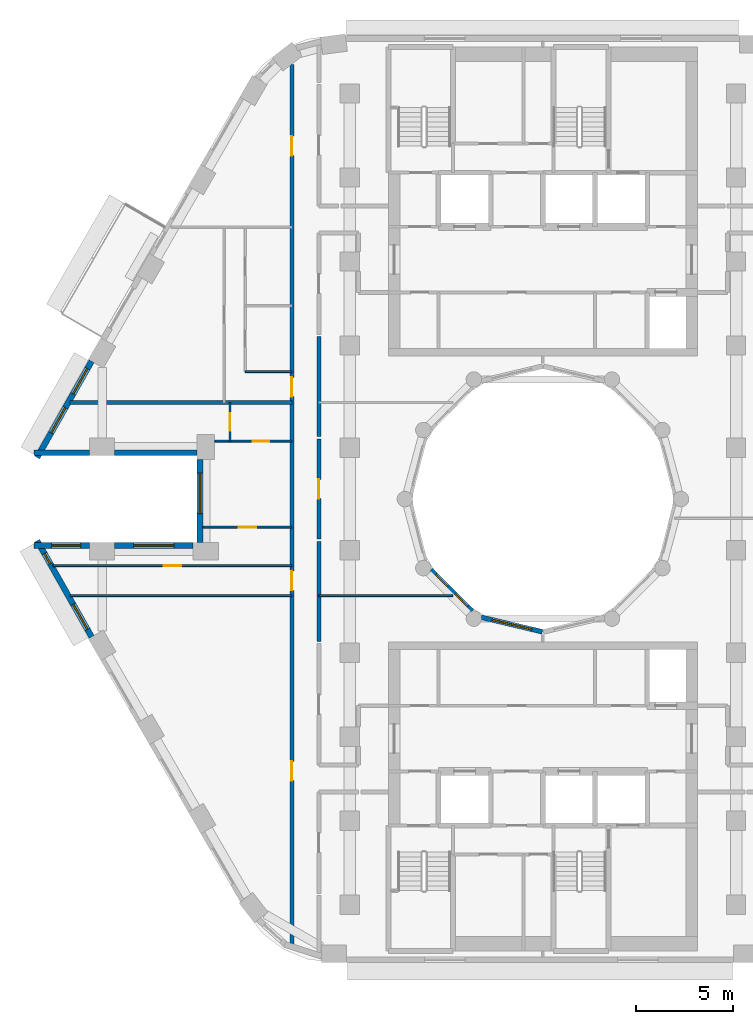
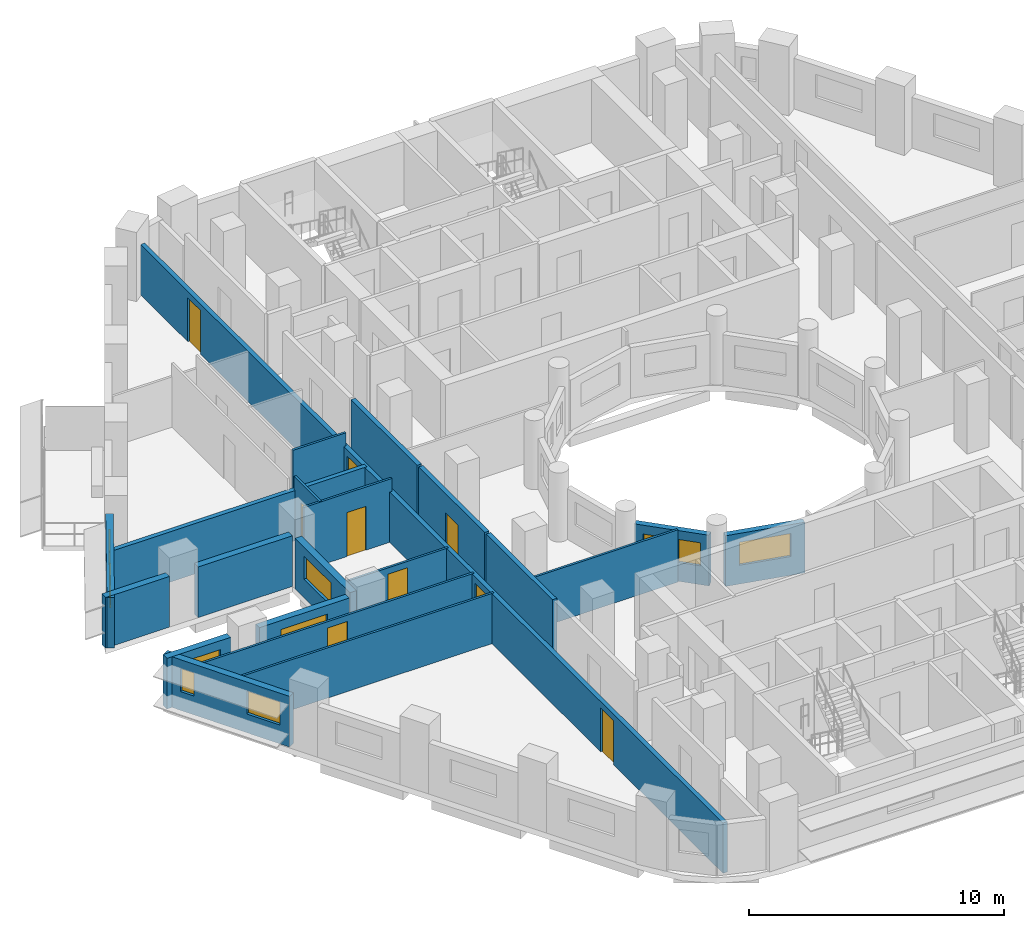
# One storey, part 4 of 13: 21 walls, 10 windows, 9 doors, 19 openings.
"""IFC4 building model written with IfcOpenShell, lengths in metres."""

from ifc_helpers import new_model, si_unit, direction, frame, frame_2d, origin, place, context, subcontext, project, spatial, rectangle, extrude, material, layer, layer_set, type_object, element, fill, save


model = new_model("IFC4")

# Units and contexts
model_context = context("Model", 3, precision=1e-05, world=origin(), true_north=direction((0.0, 1.0)))
body_context = subcontext(model_context, "Body", "Model", "MODEL_VIEW")
ifc_project = project(units=[si_unit("LENGTHUNIT", "METRE"), si_unit("AREAUNIT", "SQUARE_METRE"), si_unit("VOLUMEUNIT", "CUBIC_METRE"), si_unit("PLANEANGLEUNIT", "RADIAN"), si_unit("MASSUNIT", "GRAM", prefix="KILO")], contexts=[model_context])

# Site, building, storey
site_placement = place(None, origin())
site = spatial("IfcSite", under=ifc_project, at=site_placement, CompositionType="ELEMENT")
building_placement = place(site_placement, origin())
building = spatial("IfcBuilding", under=site, at=building_placement, Name="Nakaniwa Court", CompositionType="ELEMENT")
storey_placement = place(building_placement, frame((0.0, 0.0, 153.60009765625)))
storey = spatial("IfcBuildingStorey", under=building, at=storey_placement, Name="L40", CompositionType="ELEMENT", Elevation=153.60009765625)

# Wall
ifc_material_1 = material(Name="Acoustic double stud partition")
ifc_layer_1 = layer(ifc_material_1, 0.199951171875)
ifc_layer_set_1 = layer_set([ifc_layer_1], Name="Acoustic double stud partition")
wall_type_1 = type_object("IfcWallType", Name="Acoustic double stud partition 200", PredefinedType="PARTITIONING", material=ifc_layer_set_1)
wall_1_placement = place(storey_placement, frame((68.39990234375, 72.627197265625, 0.0), z_axis=(0.0, 0.0, 1.0), x_axis=(0.0, 1.0, 0.0)))
element("IfcWall", 1, at=wall_1_placement, inside=storey, type_object=wall_type_1, Name="Partition PW-100", PredefinedType="PARTITIONING", context=body_context, shape_type="SweptSolid", body=[
    extrude(rectangle(XDim=5.185546875, YDim=0.199951171875, at=frame_2d((2.5927734375, 0.0))), origin(), (0.0, 0.0, 1.0), 3.02490234375),
])

# Wall, opening, door
wall_2_placement = place(storey_placement, frame((68.39990234375, 83.11279296875, 0.0), z_axis=(0.0, 0.0, 1.0), x_axis=(0.0, -1.0, 0.0)))
wall_2 = element("IfcWall", 2, at=wall_2_placement, inside=storey, type_object=wall_type_1, Name="Partition PW-101", PredefinedType="PARTITIONING", context=body_context, shape_type="SweptSolid", body=[
    extrude(rectangle(XDim=5.185546875, YDim=0.199951171875, at=frame_2d((2.5927734375, 0.0))), origin(), (0.0, 0.0, 1.0), 3.02490234375),
])
opening_1_placement = place(wall_2_placement, frame((2.093017578125, 0.0, 0.0)))
opening_1 = element("IfcOpeningElement", 3, at=opening_1_placement, cuts=wall_2, Name="Opening D-02-08", PredefinedType="OPENING", context=body_context, shape_type="SweptSolid", body=[
    extrude(rectangle(XDim=1.0, YDim=2.10009765625, at=frame_2d((0.5, 1.050048828125))), frame((0.0, 0.10986328125, 0.0), z_axis=(0.0, -1.0, 0.0), x_axis=(1.0, 0.0, 0.0)), (0.0, 0.0, 1.0), 0.219970703125),
])
ifc_material_2 = material(Name="Solid core timber door set, black veneer", Category="wood")
door_type_1 = type_object("IfcDoorType", Name="Internal door 1000", OperationType="NOTDEFINED", PredefinedType="DOOR", material=ifc_material_2)
door_1_placement = place(opening_1_placement, origin())
door_1 = element("IfcDoor", 4, at=door_1_placement, inside=storey, type_object=door_type_1, Name="Door D-02-08 L40-039", OperationType="SINGLE_SWING_RIGHT", OverallHeight=2.10009765625, OverallWidth=1.0, PredefinedType="DOOR", context=body_context, shape_type="SweptSolid", body=[
    extrude(rectangle(XDim=1.0, YDim=2.10009765625, at=frame_2d((0.5, 1.050048828125))), frame((0.0, 0.02490234375, 0.0), z_axis=(0.0, -1.0, 0.0), x_axis=(1.0, 0.0, 0.0)), (0.0, 0.0, 1.0), 0.050048828125),
])
fill(opening_1, door_1)

# Wall
wall_3_placement = place(storey_placement, frame((68.39990234375, 83.227294921875, 0.0), z_axis=(0.0, 0.0, 1.0), x_axis=(0.0, 1.0, 0.0)))
element("IfcWall", 5, at=wall_3_placement, inside=storey, type_object=wall_type_1, Name="Partition PW-102", PredefinedType="PARTITIONING", context=body_context, shape_type="SweptSolid", body=[
    extrude(rectangle(XDim=5.185546875, YDim=0.199951171875, at=frame_2d((2.5927734375, 0.0))), origin(), (0.0, 0.0, 1.0), 3.02490234375),
])

# Wall, openings, doors
wall_4_placement = place(storey_placement, frame((67.0, 56.833251953125, 0.0), z_axis=(0.0, 0.0, 1.0), x_axis=(0.0, 1.0, 0.0)))
wall_4 = element("IfcWall", 6, at=wall_4_placement, inside=storey, type_object=wall_type_1, Name="Partition PW-106", PredefinedType="PARTITIONING", context=body_context, shape_type="SweptSolid", body=[
    extrude(rectangle(XDim=45.660888671875, YDim=0.199951171875, at=frame_2d((22.83056640625, 0.0))), origin(), (0.0, 0.0, 1.0), 2.40478515625),
])
opening_2_placement = place(wall_4_placement, frame((8.583984375, 0.0, 0.0)))
opening_2 = element("IfcOpeningElement", 7, at=opening_2_placement, cuts=wall_4, Name="Opening D-02-06", PredefinedType="OPENING", context=body_context, shape_type="SweptSolid", body=[
    extrude(rectangle(XDim=1.0, YDim=2.10009765625, at=frame_2d((0.5, 1.050048828125))), frame((0.0, 0.10986328125, 0.0), z_axis=(0.0, -1.0, 0.0), x_axis=(1.0, 0.0, 0.0)), (0.0, 0.0, 1.0), 0.219970703125),
])
opening_3_placement = place(wall_4_placement, frame((18.44189453125, 0.0, 0.0)))
opening_3 = element("IfcOpeningElement", 8, at=opening_3_placement, cuts=wall_4, Name="Opening D-01-02", PredefinedType="OPENING", context=body_context, shape_type="SweptSolid", body=[
    extrude(rectangle(XDim=1.0, YDim=2.10009765625, at=frame_2d((0.5, 1.050048828125))), frame((0.0, 0.10986328125, 0.0), z_axis=(0.0, -1.0, 0.0), x_axis=(1.0, 0.0, 0.0)), (0.0, 0.0, 1.0), 0.219970703125),
])
opening_4_placement = place(wall_4_placement, frame((28.467041015625, 0.0, 0.0)))
opening_4 = element("IfcOpeningElement", 9, at=opening_4_placement, cuts=wall_4, Name="Opening D-01-03", PredefinedType="OPENING", context=body_context, shape_type="SweptSolid", body=[
    extrude(rectangle(XDim=1.0, YDim=2.10009765625, at=frame_2d((0.5, 1.050048828125))), frame((0.0, 0.10986328125, 0.0), z_axis=(0.0, -1.0, 0.0), x_axis=(1.0, 0.0, 0.0)), (0.0, 0.0, 1.0), 0.219970703125),
])
opening_5_placement = place(wall_4_placement, frame((40.952880859375, 0.0, 0.0)))
opening_5 = element("IfcOpeningElement", 10, at=opening_5_placement, cuts=wall_4, Name="Opening D-02-13", PredefinedType="OPENING", context=body_context, shape_type="SweptSolid", body=[
    extrude(rectangle(XDim=1.0, YDim=2.10009765625, at=frame_2d((0.5, 1.050048828125))), frame((0.0, 0.10986328125, 0.0), z_axis=(0.0, -1.0, 0.0), x_axis=(1.0, 0.0, 0.0)), (0.0, 0.0, 1.0), 0.219970703125),
])
door_type_2 = type_object("IfcDoorType", Name="Flat entrance door 1000", OperationType="NOTDEFINED", PredefinedType="DOOR", material=ifc_material_2)
door_2_placement = place(opening_3_placement, origin())
door_2 = element("IfcDoor", 11, at=door_2_placement, inside=storey, type_object=door_type_2, Name="Door D-01-02 L40-034", OperationType="SINGLE_SWING_LEFT", OverallHeight=2.10009765625, OverallWidth=1.0, PredefinedType="DOOR", context=body_context, shape_type="SweptSolid", body=[
    extrude(rectangle(XDim=1.0, YDim=2.10009765625, at=frame_2d((0.5, 1.050048828125))), frame((0.0, 0.02490234375, 0.0), z_axis=(0.0, -1.0, 0.0), x_axis=(1.0, 0.0, 0.0)), (0.0, 0.0, 1.0), 0.050048828125),
])
fill(opening_3, door_2)
door_3_placement = place(opening_4_placement, origin())
door_3 = element("IfcDoor", 12, at=door_3_placement, inside=storey, type_object=door_type_2, Name="Door D-01-03 L40-041", OperationType="SINGLE_SWING_RIGHT", OverallHeight=2.10009765625, OverallWidth=1.0, PredefinedType="DOOR", context=body_context, shape_type="SweptSolid", body=[
    extrude(rectangle(XDim=1.0, YDim=2.10009765625, at=frame_2d((0.5, 1.050048828125))), frame((0.0, 0.02490234375, 0.0), z_axis=(0.0, -1.0, 0.0), x_axis=(1.0, 0.0, 0.0)), (0.0, 0.0, 1.0), 0.050048828125),
])
fill(opening_4, door_3)
door_4_placement = place(opening_2_placement, origin())
door_4 = element("IfcDoor", 13, at=door_4_placement, inside=storey, type_object=door_type_1, Name="Door D-02-06 L40-032", OperationType="SINGLE_SWING_LEFT", OverallHeight=2.10009765625, OverallWidth=1.0, PredefinedType="DOOR", context=body_context, shape_type="SweptSolid", body=[
    extrude(rectangle(XDim=1.0, YDim=2.10009765625, at=frame_2d((0.5, 1.050048828125))), frame((0.0, 0.02490234375, 0.0), z_axis=(0.0, -1.0, 0.0), x_axis=(1.0, 0.0, 0.0)), (0.0, 0.0, 1.0), 0.050048828125),
])
fill(opening_2, door_4)
door_5_placement = place(opening_5_placement, origin())
door_5 = element("IfcDoor", 14, at=door_5_placement, inside=storey, type_object=door_type_1, Name="Door D-02-13 L40-048", OperationType="SINGLE_SWING_LEFT", OverallHeight=2.10009765625, OverallWidth=1.0, PredefinedType="DOOR", context=body_context, shape_type="SweptSolid", body=[
    extrude(rectangle(XDim=1.0, YDim=2.10009765625, at=frame_2d((0.5, 1.050048828125))), frame((0.0, 0.02490234375, 0.0), z_axis=(0.0, -1.0, 0.0), x_axis=(1.0, 0.0, 0.0)), (0.0, 0.0, 1.0), 0.050048828125),
])
fill(opening_5, door_5)

# Wall
wall_5_placement = place(storey_placement, frame((55.5205078125, 85.0, 0.0), z_axis=(0.0, 0.0, 1.0), x_axis=(1.0, 0.0, 0.0)))
element("IfcWall", 15, at=wall_5_placement, inside=storey, type_object=wall_type_1, Name="Partition PW-127", PredefinedType="PARTITIONING", context=body_context, shape_type="SweptSolid", body=[
    extrude(rectangle(XDim=11.478515625, YDim=0.199951171875, at=frame_2d((5.7392578125, 0.0))), origin(), (0.0, 0.0, 1.0), 2.40478515625),
])

# Wall, openings, windows
ifc_material_3 = material(Name="Charcoal ceramic cladding")
ifc_layer_2 = layer(ifc_material_3, 0.02, Name="Ceramic cladding")
ifc_material_4 = material(Name="Ventilated air cavity")
ifc_layer_3 = layer(ifc_material_4, 0.04, ventilated=True, Name="Ventilated cavity")
ifc_material_5 = material(Name="Mineral wool insulation")
ifc_layer_4 = layer(ifc_material_5, 0.1, Name="Insulation")
ifc_material_6 = material(Name="Cement bonded sheathing board")
ifc_layer_5 = layer(ifc_material_6, 0.012, Name="Sheathing")
ifc_material_7 = material(Name="Cold-formed galvanised stud frame with mineral wool infill")
ifc_layer_6 = layer(ifc_material_7, 0.1, Name="Stud frame")
ifc_material_8 = material(Name="Fire-rated gypsum plasterboard lining")
ifc_layer_7 = layer(ifc_material_8, 0.028, Name="Lining")
ifc_layer_set_2 = layer_set([ifc_layer_2, ifc_layer_3, ifc_layer_4, ifc_layer_5, ifc_layer_6, ifc_layer_7], Name="Charcoal ceramic faced external wall system")
wall_type_2 = type_object("IfcWallType", Name="Black ceramic faced external wall 300", PredefinedType="SOLIDWALL", material=ifc_layer_set_2)
wall_6_placement = place(storey_placement, frame((56.63427734375, 87.13720703125, 0.0), z_axis=(0.0, 0.0, 1.0), x_axis=(-0.492498306264, -0.87031340236, 0.0)))
wall_6 = element("IfcWall", 16, at=wall_6_placement, inside=storey, type_object=wall_type_2, Name="L40 external wall 14", PredefinedType="SOLIDWALL", context=body_context, shape_type="SweptSolid", body=[
    extrude(rectangle(XDim=5.7265625, YDim=0.300048828125, at=frame_2d((2.86328125, 0.0))), origin(), (0.0, 0.0, 1.0), 2.4248046875),
])
opening_6_placement = place(wall_6_placement, frame((0.4423828125, 0.0, 0.89990234375)))
opening_6 = element("IfcOpeningElement", 17, at=opening_6_placement, cuts=wall_6, Name="Opening W5.14", PredefinedType="OPENING", context=body_context, shape_type="SweptSolid", body=[
    extrude(rectangle(XDim=1.5, YDim=1.10009765625, at=frame_2d((0.75, 0.550048828125))), frame((0.0, 0.159912109375, 0.0), z_axis=(0.0, -1.0, 0.0), x_axis=(1.0, 0.0, 0.0)), (0.0, 0.0, 1.0), 0.320068359375),
])
opening_7_placement = place(wall_6_placement, frame((2.759033203125, 0.0, 0.89990234375)))
opening_7 = element("IfcOpeningElement", 18, at=opening_7_placement, cuts=wall_6, Name="Opening W5.15", PredefinedType="OPENING", context=body_context, shape_type="SweptSolid", body=[
    extrude(rectangle(XDim=1.5, YDim=1.10009765625, at=frame_2d((0.75, 0.550048828125))), frame((0.0, 0.159912109375, 0.0), z_axis=(0.0, -1.0, 0.0), x_axis=(1.0, 0.0, 0.0)), (0.0, 0.0, 1.0), 0.320068359375),
])
ifc_material_9 = material(Name="Black anodised aluminium frame with dark low-E laminated double glazing", Category="aluminium")
window_type_1 = type_object("IfcWindowType", Name="Dark glass window 1500x1100 sill 900", PartitioningType="SINGLE_PANEL", PredefinedType="WINDOW", material=ifc_material_9)
window_1_placement = place(opening_6_placement, origin())
window_1 = element("IfcWindow", 19, at=window_1_placement, inside=storey, type_object=window_type_1, Name="L40 living window 14-0", OverallHeight=1.10009765625, OverallWidth=1.5, PartitioningType="SINGLE_PANEL", PredefinedType="WINDOW", context=body_context, shape_type="SweptSolid", body=[
    extrude(rectangle(XDim=1.5, YDim=1.10009765625, at=frame_2d((0.75, 0.550048828125))), frame((0.0, 0.030029296875, 0.0), z_axis=(0.0, -1.0, 0.0), x_axis=(1.0, 0.0, 0.0)), (0.0, 0.0, 1.0), 0.06005859375),
])
fill(opening_6, window_1)
window_2_placement = place(opening_7_placement, origin())
window_2 = element("IfcWindow", 20, at=window_2_placement, inside=storey, type_object=window_type_1, Name="L40 habitable room window 14-1", OverallHeight=1.10009765625, OverallWidth=1.5, PartitioningType="SINGLE_PANEL", PredefinedType="WINDOW", context=body_context, shape_type="SweptSolid", body=[
    extrude(rectangle(XDim=1.5, YDim=1.10009765625, at=frame_2d((0.75, 0.550048828125))), frame((0.0, 0.030029296875, 0.0), z_axis=(0.0, -1.0, 0.0), x_axis=(1.0, 0.0, 0.0)), (0.0, 0.0, 1.0), 0.06005859375),
])
fill(opening_7, window_2)

# Walls
wall_7_placement = place(storey_placement, frame((53.643310546875, 82.39990234375, 0.0), z_axis=(0.0, 0.0, 1.0), x_axis=(1.0, 0.0, 0.0)))
element("IfcWall", 21, at=wall_7_placement, inside=storey, type_object=wall_type_2, Name="L40 external wall 15", PredefinedType="SOLIDWALL", context=body_context, shape_type="SweptSolid", body=[
    extrude(rectangle(XDim=2.8876953125, YDim=0.300048828125, at=frame_2d((1.44384765625, 0.0))), origin(), (0.0, 0.0, 1.0), 2.4248046875),
])
wall_8_placement = place(storey_placement, frame((57.822998046875, 82.39990234375, 0.0), z_axis=(0.0, 0.0, 1.0), x_axis=(1.0, 0.0, 0.0)))
element("IfcWall", 22, at=wall_8_placement, inside=storey, type_object=wall_type_2, Name="L40 external wall 16", PredefinedType="SOLIDWALL", context=body_context, shape_type="SweptSolid", body=[
    extrude(rectangle(XDim=4.272705078125, YDim=0.300048828125, at=frame_2d((2.13623046875, 0.0))), origin(), (0.0, 0.0, 1.0), 2.4248046875),
])

# Wall, opening, window
wall_9_placement = place(storey_placement, frame((62.24169921875, 82.053955078125, 0.0), z_axis=(0.0, 0.0, 1.0), x_axis=(0.0, -1.0, 0.0)))
wall_9 = element("IfcWall", 23, at=wall_9_placement, inside=storey, type_object=wall_type_2, Name="L40 external wall 17", PredefinedType="SOLIDWALL", context=body_context, shape_type="SweptSolid", body=[
    extrude(rectangle(XDim=4.307861328125, YDim=0.300048828125, at=frame_2d((2.15380859375, 0.0))), origin(), (0.0, 0.0, 1.0), 2.4248046875),
])
opening_8_placement = place(wall_9_placement, frame((0.71337890625, 0.0, 0.89990234375)))
opening_8 = element("IfcOpeningElement", 24, at=opening_8_placement, cuts=wall_9, Name="Opening W7.16", PredefinedType="OPENING", context=body_context, shape_type="SweptSolid", body=[
    extrude(rectangle(XDim=2.10009765625, YDim=1.10009765625, at=frame_2d((1.050048828125, 0.550048828125))), frame((0.0, 0.159912109375, 0.0), z_axis=(0.0, -1.0, 0.0), x_axis=(1.0, 0.0, 0.0)), (0.0, 0.0, 1.0), 0.320068359375),
])
window_type_2 = type_object("IfcWindowType", Name="Dark glass window 2100x1100 sill 900", PartitioningType="SINGLE_PANEL", PredefinedType="WINDOW", material=ifc_material_9)
window_3_placement = place(opening_8_placement, origin())
window_3 = element("IfcWindow", 25, at=window_3_placement, inside=storey, type_object=window_type_2, Name="L40 living window 17-0", OverallHeight=1.10009765625, OverallWidth=2.10009765625, PartitioningType="SINGLE_PANEL", PredefinedType="WINDOW", context=body_context, shape_type="SweptSolid", body=[
    extrude(rectangle(XDim=2.10009765625, YDim=1.10009765625, at=frame_2d((1.050048828125, 0.550048828125))), frame((0.0, 0.030029296875, 0.0), z_axis=(0.0, -1.0, 0.0), x_axis=(1.0, 0.0, 0.0)), (0.0, 0.0, 1.0), 0.06005859375),
])
fill(opening_8, window_3)

wall_10_placement = place(storey_placement, frame((61.8955078125, 77.60009765625, 0.0), z_axis=(0.0, 0.0, 1.0), x_axis=(-1.0, 0.0, 0.0)))
wall_10 = element("IfcWall", 26, at=wall_10_placement, inside=storey, type_object=wall_type_2, Name="L40 external wall 18", PredefinedType="SOLIDWALL", context=body_context, shape_type="SweptSolid", body=[
    extrude(rectangle(XDim=4.072509765625, YDim=0.300048828125, at=frame_2d((2.0361328125, 0.0))), origin(), (0.0, 0.0, 1.0), 2.4248046875),
])
opening_9_placement = place(wall_10_placement, frame((0.986083984375, 0.0, 0.89990234375)))
opening_9 = element("IfcOpeningElement", 27, at=opening_9_placement, cuts=wall_10, Name="Opening W7.17", PredefinedType="OPENING", context=body_context, shape_type="SweptSolid", body=[
    extrude(rectangle(XDim=2.10009765625, YDim=1.10009765625, at=frame_2d((1.050048828125, 0.550048828125))), frame((0.0, 0.159912109375, 0.0), z_axis=(0.0, -1.0, 0.0), x_axis=(1.0, 0.0, 0.0)), (0.0, 0.0, 1.0), 0.320068359375),
])
window_4_placement = place(opening_9_placement, origin())
window_4 = element("IfcWindow", 28, at=window_4_placement, inside=storey, type_object=window_type_2, Name="L40 habitable room window 18-0", OverallHeight=1.10009765625, OverallWidth=2.10009765625, PartitioningType="SINGLE_PANEL", PredefinedType="WINDOW", context=body_context, shape_type="SweptSolid", body=[
    extrude(rectangle(XDim=2.10009765625, YDim=1.10009765625, at=frame_2d((1.050048828125, 0.550048828125))), frame((0.0, 0.030029296875, 0.0), z_axis=(0.0, -1.0, 0.0), x_axis=(1.0, 0.0, 0.0)), (0.0, 0.0, 1.0), 0.06005859375),
])
fill(opening_9, window_4)

wall_11_placement = place(storey_placement, frame((56.531005859375, 77.60009765625, 0.0), z_axis=(0.0, 0.0, 1.0), x_axis=(-1.0, 0.0, 0.0)))
wall_11 = element("IfcWall", 29, at=wall_11_placement, inside=storey, type_object=wall_type_2, Name="L40 external wall 19", PredefinedType="SOLIDWALL", context=body_context, shape_type="SweptSolid", body=[
    extrude(rectangle(XDim=2.8876953125, YDim=0.300048828125, at=frame_2d((1.44384765625, 0.0))), origin(), (0.0, 0.0, 1.0), 2.4248046875),
])
opening_10_placement = place(wall_11_placement, frame((0.468994140625, 0.0, 0.89990234375)))
opening_10 = element("IfcOpeningElement", 30, at=opening_10_placement, cuts=wall_11, Name="Opening W5.18", PredefinedType="OPENING", context=body_context, shape_type="SweptSolid", body=[
    extrude(rectangle(XDim=1.5, YDim=1.10009765625, at=frame_2d((0.75, 0.550048828125))), frame((0.0, 0.159912109375, 0.0), z_axis=(0.0, -1.0, 0.0), x_axis=(1.0, 0.0, 0.0)), (0.0, 0.0, 1.0), 0.320068359375),
])
window_5_placement = place(opening_10_placement, origin())
window_5 = element("IfcWindow", 31, at=window_5_placement, inside=storey, type_object=window_type_1, Name="L40 habitable room window 19-0", OverallHeight=1.10009765625, OverallWidth=1.5, PartitioningType="SINGLE_PANEL", PredefinedType="WINDOW", context=body_context, shape_type="SweptSolid", body=[
    extrude(rectangle(XDim=1.5, YDim=1.10009765625, at=frame_2d((0.75, 0.550048828125))), frame((0.0, 0.030029296875, 0.0), z_axis=(0.0, -1.0, 0.0), x_axis=(1.0, 0.0, 0.0)), (0.0, 0.0, 1.0), 0.06005859375),
])
fill(opening_10, window_5)

# Wall, openings, windows
wall_12_placement = place(storey_placement, frame((53.81396484375, 77.8466796875, 0.0), z_axis=(0.0, 0.0, 1.0), x_axis=(0.492498306264, -0.87031340236, 0.0)))
wall_12 = element("IfcWall", 32, at=wall_12_placement, inside=storey, type_object=wall_type_2, Name="L40 external wall 20", PredefinedType="SOLIDWALL", context=body_context, shape_type="SweptSolid", body=[
    extrude(rectangle(XDim=5.7265625, YDim=0.300048828125, at=frame_2d((2.86328125, 0.0))), origin(), (0.0, 0.0, 1.0), 2.4248046875),
])
opening_11_placement = place(wall_12_placement, frame((0.76904296875, 0.0, 0.89990234375)))
opening_11 = element("IfcOpeningElement", 33, at=opening_11_placement, cuts=wall_12, Name="Opening W8.19", PredefinedType="OPENING", context=body_context, shape_type="SweptSolid", body=[
    extrude(rectangle(XDim=0.60009765625, YDim=1.10009765625, at=frame_2d((0.300048828125, 0.550048828125))), frame((0.0, 0.159912109375, 0.0), z_axis=(0.0, -1.0, 0.0), x_axis=(1.0, 0.0, 0.0)), (0.0, 0.0, 1.0), 0.320068359375),
])
opening_12_placement = place(wall_12_placement, frame((3.783935546875, 0.0, 0.89990234375)))
opening_12 = element("IfcOpeningElement", 34, at=opening_12_placement, cuts=wall_12, Name="Opening W5.20", PredefinedType="OPENING", context=body_context, shape_type="SweptSolid", body=[
    extrude(rectangle(XDim=1.5, YDim=1.10009765625, at=frame_2d((0.75, 0.550048828125))), frame((0.0, 0.159912109375, 0.0), z_axis=(0.0, -1.0, 0.0), x_axis=(1.0, 0.0, 0.0)), (0.0, 0.0, 1.0), 0.320068359375),
])
window_6_placement = place(opening_12_placement, origin())
window_6 = element("IfcWindow", 35, at=window_6_placement, inside=storey, type_object=window_type_1, Name="L40 habitable room window 20-2", OverallHeight=1.10009765625, OverallWidth=1.5, PartitioningType="SINGLE_PANEL", PredefinedType="WINDOW", context=body_context, shape_type="SweptSolid", body=[
    extrude(rectangle(XDim=1.5, YDim=1.10009765625, at=frame_2d((0.75, 0.550048828125))), frame((0.0, 0.030029296875, 0.0), z_axis=(0.0, -1.0, 0.0), x_axis=(1.0, 0.0, 0.0)), (0.0, 0.0, 1.0), 0.06005859375),
])
fill(opening_12, window_6)
window_type_3 = type_object("IfcWindowType", Name="Dark glass window 600x1100 sill 900", PartitioningType="SINGLE_PANEL", PredefinedType="WINDOW", material=ifc_material_9)
window_7_placement = place(opening_11_placement, origin())
window_7 = element("IfcWindow", 36, at=window_7_placement, inside=storey, type_object=window_type_3, Name="L40 habitable room window 20-0", OverallHeight=1.10009765625, OverallWidth=0.60009765625, PartitioningType="SINGLE_PANEL", PredefinedType="WINDOW", context=body_context, shape_type="SweptSolid", body=[
    extrude(rectangle(XDim=0.60009765625, YDim=1.10009765625, at=frame_2d((0.300048828125, 0.550048828125))), frame((0.0, 0.030029296875, 0.0), z_axis=(0.0, -1.0, 0.0), x_axis=(1.0, 0.0, 0.0)), (0.0, 0.0, 1.0), 0.06005859375),
])
fill(opening_11, window_7)

# Wall, opening, window
ifc_layer_8 = layer(ifc_material_3, 0.02, Name="Ceramic cladding")
ifc_layer_9 = layer(ifc_material_4, 0.04, ventilated=True, Name="Ventilated cavity")
ifc_layer_10 = layer(ifc_material_5, 0.075, Name="Insulation")
ifc_layer_11 = layer(ifc_material_6, 0.012, Name="Sheathing")
ifc_layer_12 = layer(ifc_material_7, 0.075, Name="Stud frame")
ifc_layer_13 = layer(ifc_material_8, 0.028, Name="Lining")
ifc_layer_set_3 = layer_set([ifc_layer_8, ifc_layer_9, ifc_layer_10, ifc_layer_11, ifc_layer_12, ifc_layer_13], Name="Charcoal ceramic faced external wall system")
wall_type_3 = type_object("IfcWallType", Name="Charcoal ceramic faced well wall 250", PredefinedType="SOLIDWALL", material=ifc_layer_set_3)
wall_13_placement = place(storey_placement, frame((79.970947265625, 73.12841796875, 0.0), z_axis=(0.0, 0.0, 1.0), x_axis=(-0.972773113459, 0.231759508395, 0.0)))
wall_13 = element("IfcWall", 37, at=wall_13_placement, inside=storey, type_object=wall_type_3, Name="L40 external wall 39", PredefinedType="SOLIDWALL", context=body_context, shape_type="SweptSolid", body=[
    extrude(rectangle(XDim=3.24560546875, YDim=0.25, at=frame_2d((1.622802734375, 0.0))), origin(), (0.0, 0.0, 1.0), 2.4248046875),
])
opening_13_placement = place(wall_13_placement, frame((0.57275390625, 0.0, 0.89990234375)))
opening_13 = element("IfcOpeningElement", 38, at=opening_13_placement, cuts=wall_13, Name="Opening W7.39", PredefinedType="OPENING", context=body_context, shape_type="SweptSolid", body=[
    extrude(rectangle(XDim=2.10009765625, YDim=1.10009765625, at=frame_2d((1.050048828125, 0.550048828125))), frame((0.0, 0.135009765625, 0.0), z_axis=(0.0, -1.0, 0.0), x_axis=(1.0, 0.0, 0.0)), (0.0, 0.0, 1.0), 0.27001953125),
])
window_8_placement = place(opening_13_placement, origin())
window_8 = element("IfcWindow", 39, at=window_8_placement, inside=storey, type_object=window_type_2, Name="L40 habitable room window 39-0", OverallHeight=1.10009765625, OverallWidth=2.10009765625, PartitioningType="SINGLE_PANEL", PredefinedType="WINDOW", context=body_context, shape_type="SweptSolid", body=[
    extrude(rectangle(XDim=2.10009765625, YDim=1.10009765625, at=frame_2d((1.050048828125, 0.550048828125))), frame((0.0, 0.030029296875, 0.0), z_axis=(0.0, -1.0, 0.0), x_axis=(1.0, 0.0, 0.0)), (0.0, 0.0, 1.0), 0.06005859375),
])
fill(opening_13, window_8)

# Wall, openings, windows
wall_14_placement = place(storey_placement, frame((76.339111328125, 74.1943359375, 0.0), z_axis=(0.0, 0.0, 1.0), x_axis=(-0.707106781187, 0.707106781187, 0.0)))
wall_14 = element("IfcWall", 40, at=wall_14_placement, inside=storey, type_object=wall_type_3, Name="L40 external wall 40", PredefinedType="SOLIDWALL", context=body_context, shape_type="SweptSolid", body=[
    extrude(rectangle(XDim=3.033203125, YDim=0.25, at=frame_2d((1.5166015625, 0.0))), origin(), (0.0, 0.0, 1.0), 2.4248046875),
])
opening_14_placement = place(wall_14_placement, frame((0.34521484375, 0.0, 0.89990234375)))
opening_14 = element("IfcOpeningElement", 41, at=opening_14_placement, cuts=wall_14, Name="Opening W9.40", PredefinedType="OPENING", context=body_context, shape_type="SweptSolid", body=[
    extrude(rectangle(XDim=0.89990234375, YDim=1.10009765625, at=frame_2d((0.449951171875, 0.550048828125))), frame((0.0, 0.135009765625, 0.0), z_axis=(0.0, -1.0, 0.0), x_axis=(1.0, 0.0, 0.0)), (0.0, 0.0, 1.0), 0.27001953125),
])
opening_15_placement = place(wall_14_placement, frame((1.780029296875, 0.0, 0.89990234375)))
opening_15 = element("IfcOpeningElement", 42, at=opening_15_placement, cuts=wall_14, Name="Opening W9.41", PredefinedType="OPENING", context=body_context, shape_type="SweptSolid", body=[
    extrude(rectangle(XDim=0.89990234375, YDim=1.10009765625, at=frame_2d((0.449951171875, 0.550048828125))), frame((0.0, 0.135009765625, 0.0), z_axis=(0.0, -1.0, 0.0), x_axis=(1.0, 0.0, 0.0)), (0.0, 0.0, 1.0), 0.27001953125),
])
window_type_4 = type_object("IfcWindowType", Name="Dark glass window 900x1100 sill 900", PartitioningType="SINGLE_PANEL", PredefinedType="WINDOW", material=ifc_material_9)
window_9_placement = place(opening_14_placement, origin())
window_9 = element("IfcWindow", 43, at=window_9_placement, inside=storey, type_object=window_type_4, Name="L40 habitable room window 40-0", OverallHeight=1.10009765625, OverallWidth=0.89990234375, PartitioningType="SINGLE_PANEL", PredefinedType="WINDOW", context=body_context, shape_type="SweptSolid", body=[
    extrude(rectangle(XDim=0.89990234375, YDim=1.10009765625, at=frame_2d((0.449951171875, 0.550048828125))), frame((0.0, 0.030029296875, 0.0), z_axis=(0.0, -1.0, 0.0), x_axis=(1.0, 0.0, 0.0)), (0.0, 0.0, 1.0), 0.06005859375),
])
fill(opening_14, window_9)
window_10_placement = place(opening_15_placement, origin())
window_10 = element("IfcWindow", 44, at=window_10_placement, inside=storey, type_object=window_type_4, Name="L40 habitable room window 40-1", OverallHeight=1.10009765625, OverallWidth=0.89990234375, PartitioningType="SINGLE_PANEL", PredefinedType="WINDOW", context=body_context, shape_type="SweptSolid", body=[
    extrude(rectangle(XDim=0.89990234375, YDim=1.10009765625, at=frame_2d((0.449951171875, 0.550048828125))), frame((0.0, 0.030029296875, 0.0), z_axis=(0.0, -1.0, 0.0), x_axis=(1.0, 0.0, 0.0)), (0.0, 0.0, 1.0), 0.06005859375),
])
fill(opening_15, window_10)

# Walls
ifc_material_10 = material(Name="Single stud plasterboard partition")
ifc_layer_14 = layer(ifc_material_10, 0.10009765625)
ifc_layer_set_4 = layer_set([ifc_layer_14], Name="Single stud plasterboard partition")
wall_type_4 = type_object("IfcWallType", Name="Single stud plasterboard partition 100", PredefinedType="PARTITIONING", material=ifc_layer_set_4)
wall_15_placement = place(storey_placement, frame((55.5205078125, 75.0, 0.0), z_axis=(0.0, 0.0, 1.0), x_axis=(1.0, 0.0, 0.0)))
element("IfcWall", 45, at=wall_15_placement, inside=storey, type_object=wall_type_4, Name="Partition PW-121", PredefinedType="PARTITIONING", context=body_context, shape_type="SweptSolid", body=[
    extrude(rectangle(XDim=11.478515625, YDim=0.10009765625, at=frame_2d((5.7392578125, 0.0))), origin(), (0.0, 0.0, 1.0), 2.40478515625),
])
wall_16_placement = place(storey_placement, frame((68.40087890625, 75.0, 0.0), z_axis=(0.0, 0.0, 1.0), x_axis=(1.0, 0.0, 0.0)))
element("IfcWall", 46, at=wall_16_placement, inside=storey, type_object=wall_type_4, Name="Partition PW-122", PredefinedType="PARTITIONING", context=body_context, shape_type="SweptSolid", body=[
    extrude(rectangle(XDim=6.92578125, YDim=0.10009765625, at=frame_2d((3.462890625, 0.0))), origin(), (0.0, 0.0, 1.0), 2.5048828125),
])

# Wall, opening, door
wall_17_placement = place(storey_placement, frame((54.62548828125, 76.550048828125, 0.0), z_axis=(0.0, 0.0, 1.0), x_axis=(1.0, 0.0, 0.0)))
wall_17 = element("IfcWall", 47, at=wall_17_placement, inside=storey, type_object=wall_type_4, Name="Partition PW-123", PredefinedType="PARTITIONING", context=body_context, shape_type="SweptSolid", body=[
    extrude(rectangle(XDim=12.37353515625, YDim=0.10009765625, at=frame_2d((6.186767578125, 0.0))), origin(), (0.0, 0.0, 1.0), 2.40478515625),
])
opening_16_placement = place(wall_17_placement, frame((5.737060546875, 0.0, 0.0)))
opening_16 = element("IfcOpeningElement", 48, at=opening_16_placement, cuts=wall_17, Name="Opening D-33-03", PredefinedType="OPENING", context=body_context, shape_type="SweptSolid", body=[
    extrude(rectangle(XDim=0.89990234375, YDim=2.10009765625, at=frame_2d((0.449951171875, 1.050048828125))), frame((0.0, 0.06005859375, 0.0), z_axis=(0.0, -1.0, 0.0), x_axis=(1.0, 0.0, 0.0)), (0.0, 0.0, 1.0), 0.1201171875),
])
door_type_3 = type_object("IfcDoorType", Name="Internal door 900", OperationType="NOTDEFINED", PredefinedType="DOOR", material=ifc_material_2)
door_6_placement = place(opening_16_placement, origin())
door_6 = element("IfcDoor", 49, at=door_6_placement, inside=storey, type_object=door_type_3, Name="Door D-33-03 L40-035", OperationType="SINGLE_SWING_RIGHT", OverallHeight=2.10009765625, OverallWidth=0.89990234375, PredefinedType="DOOR", context=body_context, shape_type="SweptSolid", body=[
    extrude(rectangle(XDim=0.89990234375, YDim=2.10009765625, at=frame_2d((0.449951171875, 1.050048828125))), frame((0.0, 0.02490234375, 0.0), z_axis=(0.0, -1.0, 0.0), x_axis=(1.0, 0.0, 0.0)), (0.0, 0.0, 1.0), 0.050048828125),
])
fill(opening_16, door_6)

wall_18_placement = place(storey_placement, frame((62.3916015625, 78.551025390625, 0.0), z_axis=(0.0, 0.0, 1.0), x_axis=(1.0, 0.0, 0.0)))
wall_18 = element("IfcWall", 50, at=wall_18_placement, inside=storey, type_object=wall_type_4, Name="Partition PW-124", PredefinedType="PARTITIONING", context=body_context, shape_type="SweptSolid", body=[
    extrude(rectangle(XDim=4.607421875, YDim=0.10009765625, at=frame_2d((2.3037109375, 0.0))), origin(), (0.0, 0.0, 1.0), 2.40478515625),
])
opening_17_placement = place(wall_18_placement, frame((1.85400390625, 0.0, 0.0)))
opening_17 = element("IfcOpeningElement", 51, at=opening_17_placement, cuts=wall_18, Name="Opening D-33-04", PredefinedType="OPENING", context=body_context, shape_type="SweptSolid", body=[
    extrude(rectangle(XDim=0.89990234375, YDim=2.10009765625, at=frame_2d((0.449951171875, 1.050048828125))), frame((0.0, 0.06005859375, 0.0), z_axis=(0.0, -1.0, 0.0), x_axis=(1.0, 0.0, 0.0)), (0.0, 0.0, 1.0), 0.1201171875),
])
door_7_placement = place(opening_17_placement, origin())
door_7 = element("IfcDoor", 52, at=door_7_placement, inside=storey, type_object=door_type_3, Name="Door D-33-04 L40-036", OperationType="SINGLE_SWING_LEFT", OverallHeight=2.10009765625, OverallWidth=0.89990234375, PredefinedType="DOOR", context=body_context, shape_type="SweptSolid", body=[
    extrude(rectangle(XDim=0.89990234375, YDim=2.10009765625, at=frame_2d((0.449951171875, 1.050048828125))), frame((0.0, 0.02490234375, 0.0), z_axis=(0.0, -1.0, 0.0), x_axis=(1.0, 0.0, 0.0)), (0.0, 0.0, 1.0), 0.050048828125),
])
fill(opening_17, door_7)

wall_19_placement = place(storey_placement, frame((63.01171875, 82.9990234375, 0.0), z_axis=(0.0, 0.0, 1.0), x_axis=(1.0, 0.0, 0.0)))
wall_19 = element("IfcWall", 53, at=wall_19_placement, inside=storey, type_object=wall_type_4, Name="Partition PW-125", PredefinedType="PARTITIONING", context=body_context, shape_type="SweptSolid", body=[
    extrude(rectangle(XDim=3.9873046875, YDim=0.10009765625, at=frame_2d((1.99365234375, 0.0))), origin(), (0.0, 0.0, 1.0), 3.02490234375),
])
opening_18_placement = place(wall_19_placement, frame((1.9619140625, 0.0, 0.0)))
opening_18 = element("IfcOpeningElement", 54, at=opening_18_placement, cuts=wall_19, Name="Opening D-03-02", PredefinedType="OPENING", context=body_context, shape_type="SweptSolid", body=[
    extrude(rectangle(XDim=0.85009765625, YDim=2.10009765625, at=frame_2d((0.425048828125, 1.050048828125))), frame((0.0, 0.06005859375, 0.0), z_axis=(0.0, -1.0, 0.0), x_axis=(1.0, 0.0, 0.0)), (0.0, 0.0, 1.0), 0.1201171875),
])
ifc_material_11 = material(Name="Moisture sealed timber door set", Category="wood")
door_type_4 = type_object("IfcDoorType", Name="Bathroom door 850", OperationType="NOTDEFINED", PredefinedType="DOOR", material=ifc_material_11)
door_8_placement = place(opening_18_placement, origin())
door_8 = element("IfcDoor", 55, at=door_8_placement, inside=storey, type_object=door_type_4, Name="Door D-03-02 L40-037", OperationType="SINGLE_SWING_RIGHT", OverallHeight=2.10009765625, OverallWidth=0.85009765625, PredefinedType="DOOR", context=body_context, shape_type="SweptSolid", body=[
    extrude(rectangle(XDim=0.85009765625, YDim=2.10009765625, at=frame_2d((0.425048828125, 1.050048828125))), frame((0.0, 0.02490234375, 0.0), z_axis=(0.0, -1.0, 0.0), x_axis=(1.0, 0.0, 0.0)), (0.0, 0.0, 1.0), 0.050048828125),
])
fill(opening_18, door_8)

wall_20_placement = place(storey_placement, frame((63.799072265625, 82.998779296875, 0.0), z_axis=(0.0, 0.0, 1.0), x_axis=(0.0, 1.0, 0.0)))
wall_20 = element("IfcWall", 56, at=wall_20_placement, inside=storey, type_object=wall_type_4, Name="Partition PW-126", PredefinedType="PARTITIONING", context=body_context, shape_type="SweptSolid", body=[
    extrude(rectangle(XDim=2.001220703125, YDim=0.10009765625, at=frame_2d((1.00048828125, 0.0))), origin(), (0.0, 0.0, 1.0), 3.02490234375),
])
opening_19_placement = place(wall_20_placement, frame((0.551025390625, 0.0, 0.0)))
opening_19 = element("IfcOpeningElement", 57, at=opening_19_placement, cuts=wall_20, Name="Opening D-33-05", PredefinedType="OPENING", context=body_context, shape_type="SweptSolid", body=[
    extrude(rectangle(XDim=0.89990234375, YDim=2.10009765625, at=frame_2d((0.449951171875, 1.050048828125))), frame((0.0, 0.06005859375, 0.0), z_axis=(0.0, -1.0, 0.0), x_axis=(1.0, 0.0, 0.0)), (0.0, 0.0, 1.0), 0.1201171875),
])
door_9_placement = place(opening_19_placement, origin())
door_9 = element("IfcDoor", 58, at=door_9_placement, inside=storey, type_object=door_type_3, Name="Door D-33-05 L40-038", OperationType="SINGLE_SWING_LEFT", OverallHeight=2.10009765625, OverallWidth=0.89990234375, PredefinedType="DOOR", context=body_context, shape_type="SweptSolid", body=[
    extrude(rectangle(XDim=0.89990234375, YDim=2.10009765625, at=frame_2d((0.449951171875, 1.050048828125))), frame((0.0, 0.02490234375, 0.0), z_axis=(0.0, -1.0, 0.0), x_axis=(1.0, 0.0, 0.0)), (0.0, 0.0, 1.0), 0.050048828125),
])
fill(opening_19, door_9)

# Wall
wall_21_placement = place(storey_placement, frame((64.59912109375, 86.60009765625, 0.0), z_axis=(0.0, 0.0, 1.0), x_axis=(1.0, 0.0, 0.0)))
element("IfcWall", 59, at=wall_21_placement, inside=storey, type_object=wall_type_4, Name="Partition PW-131", PredefinedType="PARTITIONING", context=body_context, shape_type="SweptSolid", body=[
    extrude(rectangle(XDim=2.39990234375, YDim=0.10009765625, at=frame_2d((1.199951171875, 0.0))), origin(), (0.0, 0.0, 1.0), 3.02490234375),
])

save(model, "model.ifc")
